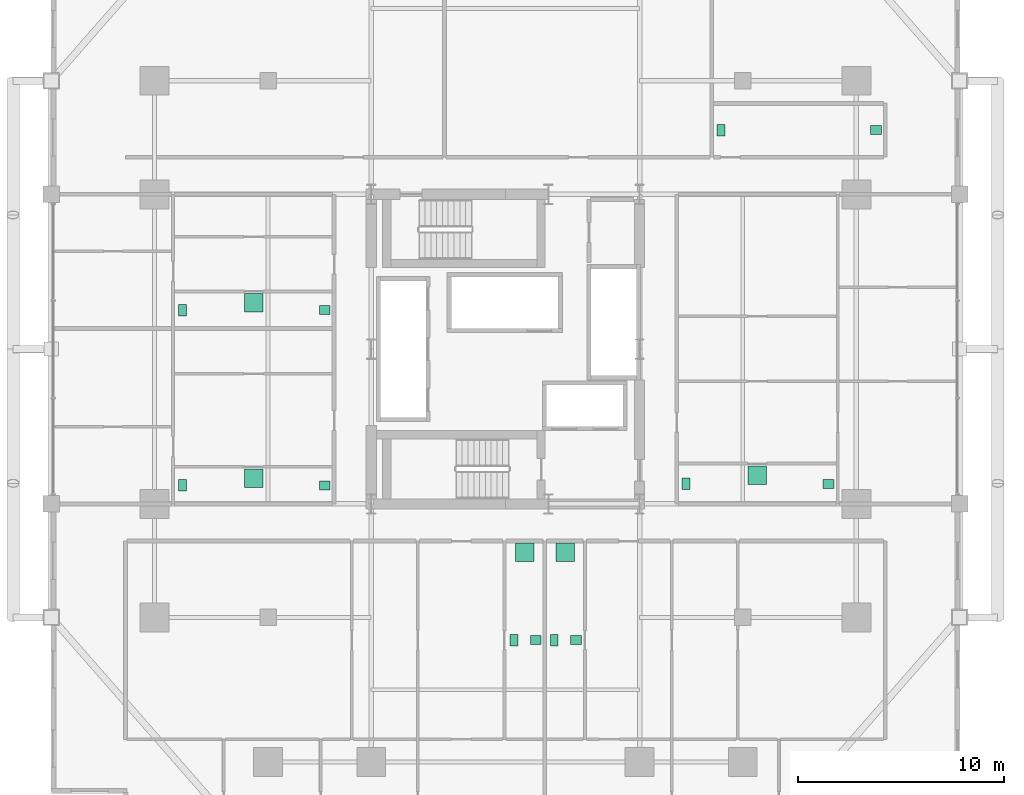
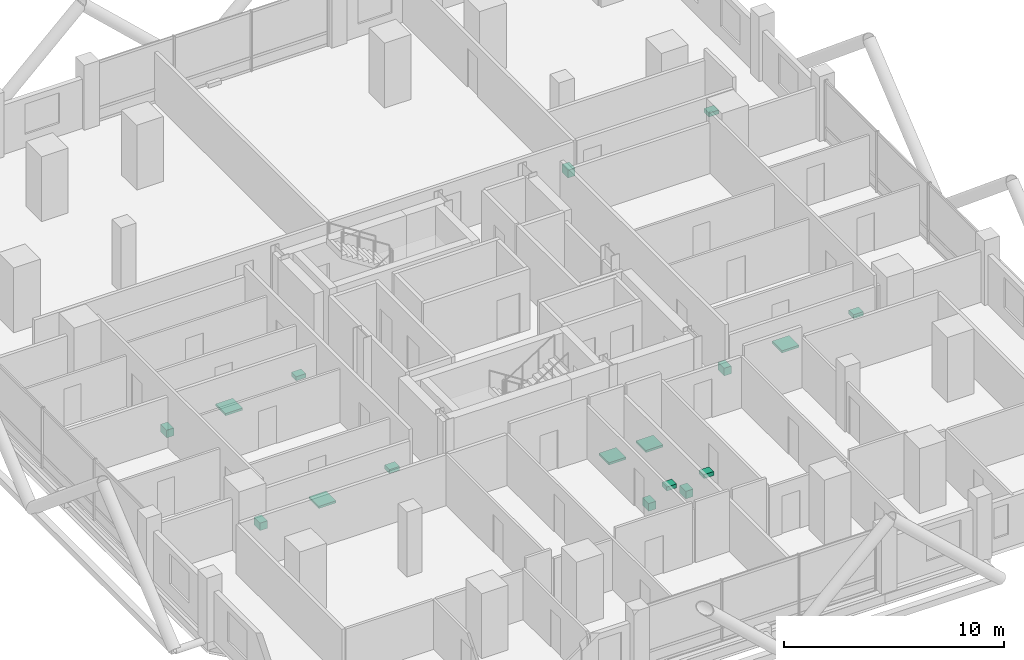
# One storey, part 27 of 27: 17 sanitary terminals.
"""IFC4 building model written with IfcOpenShell, lengths in metres."""

import ifcopenshell
import ifcopenshell.guid

model = None  # the IFC model being written
_history = None  # IfcOwnerHistory: only IFC2X3 demands one
_inside = {}  # id of a spatial element -> (the spatial element, [elements in it])
_under = {}  # id of a project, library or spatial element -> (it, [spatial elements below it])
_declared = {}  # id of a project -> (the project, [libraries it declares])
_typed = {}  # id of a type object -> (the type object, [elements of that type])
_made_of = {}  # id of a material, layer set ... -> (it, [elements and type objects made of it])


def new_model(schema):
    """Start an empty IFC model of exactly this schema.

    Asked for "IFC4X3", IfcOpenShell would pick the latest addendum, in which some entities
    have other attributes; the version numbers below select the first issue.
    IFC2X3 requires an IfcOwnerHistory on every rooted entity: one is made here for all.
    """
    global model, _history
    if schema == "IFC4X3":
        model = ifcopenshell.file(schema_version=(4, 3, 0, 0))
    else:
        model = ifcopenshell.file(schema=schema)
    _inside.clear()
    _under.clear()
    _declared.clear()
    _typed.clear()
    _made_of.clear()
    _history = None
    if model.schema == "IFC2X3":
        org = make("IfcOrganization", Name="unknown")
        user = make(
            "IfcPersonAndOrganization",
            ThePerson=make("IfcPerson", FamilyName="unknown"),
            TheOrganization=org,
        )
        app = make(
            "IfcApplication",
            ApplicationDeveloper=org,
            Version="unknown",
            ApplicationFullName="unknown",
            ApplicationIdentifier="unknown",
        )
        _history = make(
            "IfcOwnerHistory",
            OwningUser=user,
            OwningApplication=app,
            ChangeAction="ADDED",
            CreationDate=0,
        )
    return model


def make(cls, **values):
    """One entity of the class cls with the attributes given. An attribute that is None is left unset."""
    return model.create_entity(
        cls, **{name: value for name, value in values.items() if value is not None}
    )


def rooted(cls, **values):
    """An entity with a GlobalId (a new one), such as an element, a storey or a relation."""
    return make(cls, GlobalId=ifcopenshell.guid.new(), OwnerHistory=_history, **values)


def si_unit(unit_type, name, prefix=None):
    """IfcSIUnit, for example si_unit("LENGTHUNIT", "METRE", prefix="MILLI")."""
    return make("IfcSIUnit", UnitType=unit_type, Prefix=prefix, Name=name)


def assignment(units):
    """IfcUnitAssignment: the units of a project."""
    return None if units is None else make("IfcUnitAssignment", Units=units)


def point(xyz):
    """IfcCartesianPoint."""
    return None if xyz is None else make("IfcCartesianPoint", Coordinates=xyz)


def direction(xyz):
    """IfcDirection."""
    return None if xyz is None else make("IfcDirection", DirectionRatios=xyz)


def frame(location, z_axis=None, x_axis=None):
    """IfcAxis2Placement3D, a coordinate frame: its origin and axes. An axis left out is left unset."""
    return make(
        "IfcAxis2Placement3D",
        Location=point(location),
        Axis=direction(z_axis),
        RefDirection=direction(x_axis),
    )


def frame_2d(location, x_axis=None):
    """IfcAxis2Placement2D, a coordinate frame in the plane: its origin and x axis."""
    return make(
        "IfcAxis2Placement2D", Location=point(location), RefDirection=direction(x_axis)
    )


def origin():
    """The frame at (0, 0, 0) with its axes left unset."""
    return frame((0.0, 0.0, 0.0))


def origin_2d():
    """The frame at (0, 0) in the plane with its x axis left unset."""
    return frame_2d((0.0, 0.0))


def place(relative_to, where):
    """IfcLocalPlacement: puts the frame where relative to a parent placement (None: the world)."""
    return make(
        "IfcLocalPlacement", PlacementRelTo=relative_to, RelativePlacement=where
    )


def context(
    kind, dimensions, precision=None, world=None, true_north=None, identifier=None
):
    """IfcGeometricRepresentationContext, for example the 3D "Model" context."""
    return make(
        "IfcGeometricRepresentationContext",
        ContextIdentifier=identifier,
        ContextType=kind,
        CoordinateSpaceDimension=dimensions,
        Precision=precision,
        WorldCoordinateSystem=world,
        TrueNorth=true_north,
    )


def subcontext(parent, identifier, kind, view, scale=None):
    """IfcGeometricRepresentationSubContext, for example "Body" below "Model"."""
    return make(
        "IfcGeometricRepresentationSubContext",
        ContextIdentifier=identifier,
        ContextType=kind,
        ParentContext=parent,
        TargetScale=scale,
        TargetView=view,
    )


def project(units=None, contexts=None):
    """IfcProject with its units and contexts."""
    return rooted(
        "IfcProject",
        Name="project",
        RepresentationContexts=contexts,
        UnitsInContext=assignment(units),
    )


def spatial(cls, under=None, at=None, **own):
    """A site, building, storey or space (cls), placed at a placement, below another one or the project."""
    s = rooted(cls, ObjectPlacement=at, **own)
    if under is not None:
        _under.setdefault(under.id(), (under, []))[1].append(s)
    return s


def profile(cls, at=None, kind="AREA", **sizes):
    """A parametric profile (cls). Its sizes go by their IFC names, for example OverallWidth=200.0."""
    return make(cls, ProfileType=kind, Position=at, **sizes)


def rectangle(**sizes):
    """IfcRectangleProfileDef."""
    return profile("IfcRectangleProfileDef", **sizes)


def extrude(swept, where, along, depth):
    """IfcExtrudedAreaSolid: the profile swept, set in the frame where, extruded along a direction by depth."""
    return make(
        "IfcExtrudedAreaSolid",
        SweptArea=swept,
        Position=where,
        ExtrudedDirection=direction(along),
        Depth=depth,
    )


def shape(context_of_items, identifier, shape_type, items):
    """IfcShapeRepresentation: the items that make up one representation, for example the "Body"."""
    return make(
        "IfcShapeRepresentation",
        ContextOfItems=context_of_items,
        RepresentationIdentifier=identifier,
        RepresentationType=shape_type,
        Items=items,
    )


def material(Name=None, Category=None):
    """IfcMaterial."""
    return make("IfcMaterial", Name=Name, Category=Category)


def made_of(thing, what):
    """Note that an element or type object is made of a material, layer set ...; save() writes the relation."""
    if what is not None:
        _made_of.setdefault(what.id(), (what, []))[1].append(thing)
    return thing


def type_object(cls, material=None, **own):
    """A type object (cls), such as IfcWallType, which elements share."""
    return made_of(rooted(cls, **own), material)


def element(
    cls,
    number,
    at=None,
    inside=None,
    cuts=None,
    type_object=None,
    material=None,
    context=None,
    identifier="Body",
    shape_type=None,
    held_by="IfcProductDefinitionShape",
    body=None,
    shapes=None,
    **own,
):
    """One element of the class cls, such as IfcWall. Its Tag is "e" and its number.

    at: its placement. inside: the storey or other place that contains it. cuts: it is an
    opening in that element (IfcRelVoidsElement). A single representation is given by context,
    identifier, shape_type and body (its items); several are given by shapes. held_by: the class
    of the entity that holds the representations. save() writes the other relations.
    """
    e = rooted(cls, Tag="e%d" % number, ObjectPlacement=at, **own)
    if body is not None:
        shapes = [shape(context, identifier, shape_type, body)]
    if shapes is not None:
        e.Representation = make(held_by, Representations=shapes)
    if inside is not None:
        _inside.setdefault(inside.id(), (inside, []))[1].append(e)
    if cuts is not None:
        rooted(
            "IfcRelVoidsElement", RelatingBuildingElement=cuts, RelatedOpeningElement=e
        )
    if type_object is not None:
        _typed.setdefault(type_object.id(), (type_object, []))[1].append(e)
    return made_of(e, material)


def aggregate(whole, parts):
    """IfcRelAggregates: a whole, such as a stair, and the parts it consists of."""
    return rooted("IfcRelAggregates", RelatingObject=whole, RelatedObjects=parts)


def save(model, path):
    """Write the relations noted so far, then the file.

    IfcRelAggregates (storeys below a building ...), IfcRelContainedInSpatialStructure (elements
    in a storey), IfcRelDefinesByType, IfcRelAssociatesMaterial and IfcRelDeclares: one each for
    every whole, place, type object, material and project.
    """
    for whole, parts in _under.values():
        aggregate(whole, parts)
    for where, things in _inside.values():
        rooted(
            "IfcRelContainedInSpatialStructure",
            RelatedElements=things,
            RelatingStructure=where,
        )
    for kind, things in _typed.values():
        rooted("IfcRelDefinesByType", RelatedObjects=things, RelatingType=kind)
    for what, things in _made_of.values():
        rooted("IfcRelAssociatesMaterial", RelatedObjects=things, RelatingMaterial=what)
    for by, libraries in _declared.values():
        rooted("IfcRelDeclares", RelatingContext=by, RelatedDefinitions=libraries)
    model.write(path)


model = new_model("IFC4")

# Units and contexts
model_context = context("Model", 3, precision=1e-05, world=origin(), true_north=direction((0.0, 1.0)))
body_context = subcontext(model_context, "Body", "Model", "MODEL_VIEW")
ifc_project = project(units=[si_unit("LENGTHUNIT", "METRE"), si_unit("AREAUNIT", "SQUARE_METRE"), si_unit("VOLUMEUNIT", "CUBIC_METRE"), si_unit("PLANEANGLEUNIT", "RADIAN"), si_unit("MASSUNIT", "GRAM", prefix="KILO")], contexts=[model_context])

# Site, building, storey
site_placement = place(None, origin())
site = spatial("IfcSite", under=ifc_project, at=site_placement, CompositionType="ELEMENT")
building_placement = place(site_placement, origin())
building = spatial("IfcBuilding", under=site, at=building_placement, Name="Barlavira Tower and Art Museum", CompositionType="ELEMENT")
storey_placement = place(building_placement, frame((0.0, 0.0, 50.39990234375)))
storey = spatial("IfcBuildingStorey", under=building, at=storey_placement, Name="L11", CompositionType="ELEMENT", Elevation=50.39990234375)

# Sanitary terminals
ifc_material = material(Name="Vitreous glazed ceramic", Category="ceramic")
sanitary_terminal_type_1 = type_object("IfcSanitaryTerminalType", Name="Countertop Ceramic Wash Hand Basin", PredefinedType="WASHHANDBASIN", material=ifc_material)
for number, where, z_axis, x_axis, name in (
    (1, (1.469970703125, -14.10009765625, 0.740234375), (0.0, 0.0, 1.0), (1.0, 0.0, 0.0), "L11-S1-BTH1 Wash Basin"),
    (2, (3.419921875, -14.10009765625, 0.740234375), (0.0, 0.0, 1.0), (1.0, 0.0, 0.0), "L11-S2-BTH1 Wash Basin"),
    (3, (17.949951171875, 10.610107421875, 0.740234375), (0.0, 0.0, 1.0), (1.0, 0.0, 0.0), "L11-N-SWC Wash Basin"),
    (4, (-8.75, -6.60009765625, 0.740234375), (0.0, 0.0, 1.0), (1.0, 0.0, 0.0), "L11-W1-BTH1 Wash Basin"),
    (5, (-8.75, 1.889892578125, 0.740234375), (0.0, 0.0, 1.0), (1.0, 0.0, 0.0), "L11-W2-BTH1 Wash Basin"),
    (6, (15.64990234375, -6.52490234375, 0.740234375), (0.0, 0.0, 1.0), (1.0, 0.0, 0.0), "L11-E1-BTH1 Wash Basin"),
):
    element("IfcSanitaryTerminal", number, at=place(storey_placement, frame(where, z_axis=z_axis, x_axis=x_axis)), inside=storey, type_object=sanitary_terminal_type_1, Name=name, PredefinedType="WASHHANDBASIN", context=body_context, shape_type="SweptSolid", body=[
        extrude(rectangle(XDim=0.52001953125, YDim=0.43994140625, at=origin_2d()), origin(), (0.0, 0.0, 1.0), 0.219970703125),
    ])
sanitary_terminal_type_2 = type_object("IfcSanitaryTerminalType", Name="Walk-In Thermostatic Rain Shower Unit", PredefinedType="SHOWER", material=ifc_material)
for number, where, z_axis, x_axis, name in (
    (7, (0.945068359375, -9.85009765625, 0.0), (0.0, 0.0, 1.0), (1.0, 0.0, 0.0), "L11-S1-BTH1 Rain Shower"),
    (8, (2.89501953125, -9.85009765625, 0.0), (0.0, 0.0, 1.0), (1.0, 0.0, 0.0), "L11-S2-BTH1 Rain Shower"),
    (9, (-12.199951171875, -6.25, 0.0), (0.0, 0.0, 1.0), (1.0, 0.0, 0.0), "L11-W1-BTH1 Rain Shower"),
    (10, (-12.199951171875, 2.239990234375, 0.0), (0.0, 0.0, 1.0), (1.0, 0.0, 0.0), "L11-W2-BTH1 Rain Shower"),
    (11, (12.199951171875, -6.10009765625, 0.0), (0.0, 0.0, 1.0), (1.0, 0.0, 0.0), "L11-E1-BTH1 Rain Shower"),
):
    element("IfcSanitaryTerminal", number, at=place(storey_placement, frame(where, z_axis=z_axis, x_axis=x_axis)), inside=storey, type_object=sanitary_terminal_type_2, Name=name, PredefinedType="SHOWER", context=body_context, shape_type="SweptSolid", body=[
        extrude(rectangle(XDim=0.89990234375, YDim=0.89990234375, at=origin_2d()), origin(), (0.0, 0.0, 1.0), 0.1201171875),
    ])
sanitary_terminal_type_3 = type_object("IfcSanitaryTerminalType", Name="Wall-Hung Dual-Flush Vitreous WC Pan", PredefinedType="TOILETPAN", material=ifc_material)
for number, where, z_axis, x_axis, name in (
    (12, (0.419921875, -14.10009765625, 0.000244140625), (0.0, 0.0, 1.0), (1.0, 0.0, 0.0), "L11-S1-BTH1 WC Pan"),
    (13, (2.3701171875, -14.10009765625, 0.000244140625), (0.0, 0.0, 1.0), (1.0, 0.0, 0.0), "L11-S2-BTH1 WC Pan"),
    (14, (10.449951171875, 10.610107421875, 0.000244140625), (0.0, 0.0, 1.0), (1.0, 0.0, 0.0), "L11-N-SWC WC Pan"),
    (15, (-15.64990234375, -6.60009765625, 0.000244140625), (0.0, 0.0, 1.0), (1.0, 0.0, 0.0), "L11-W1-BTH1 WC Pan"),
    (16, (-15.64990234375, 1.889892578125, 0.000244140625), (0.0, 0.0, 1.0), (1.0, 0.0, 0.0), "L11-W2-BTH1 WC Pan"),
    (17, (8.75, -6.52490234375, 0.000244140625), (0.0, 0.0, 1.0), (1.0, 0.0, 0.0), "L11-E1-BTH1 WC Pan"),
):
    element("IfcSanitaryTerminal", number, at=place(storey_placement, frame(where, z_axis=z_axis, x_axis=x_axis)), inside=storey, type_object=sanitary_terminal_type_3, Name=name, PredefinedType="TOILETPAN", context=body_context, shape_type="SweptSolid", body=[
        extrude(rectangle(XDim=0.3798828125, YDim=0.56005859375, at=origin_2d()), origin(), (0.0, 0.0, 1.0), 0.419921875),
    ])

save(model, "model.ifc")
